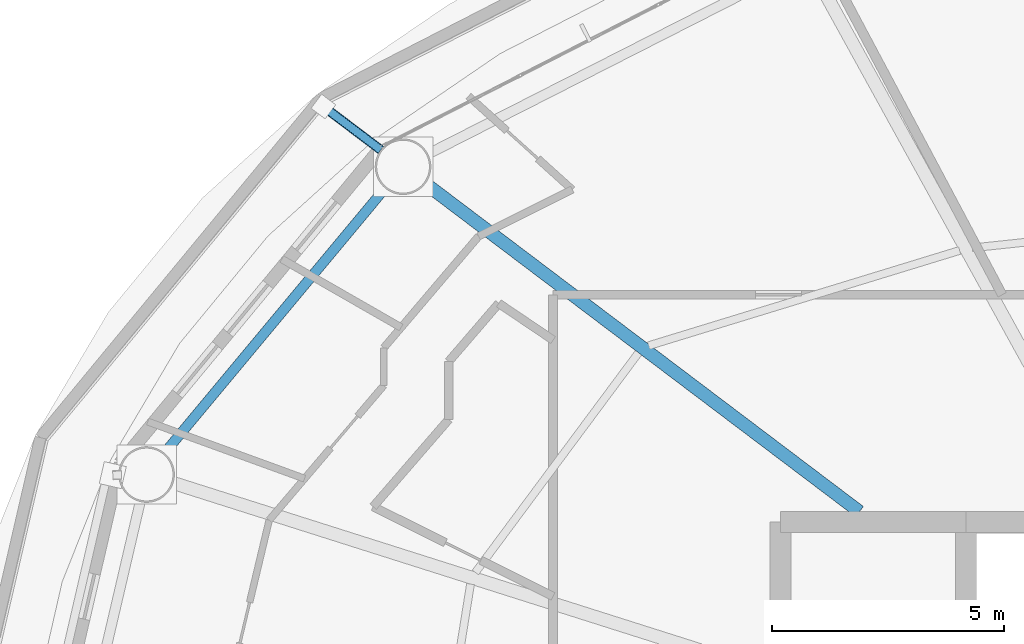
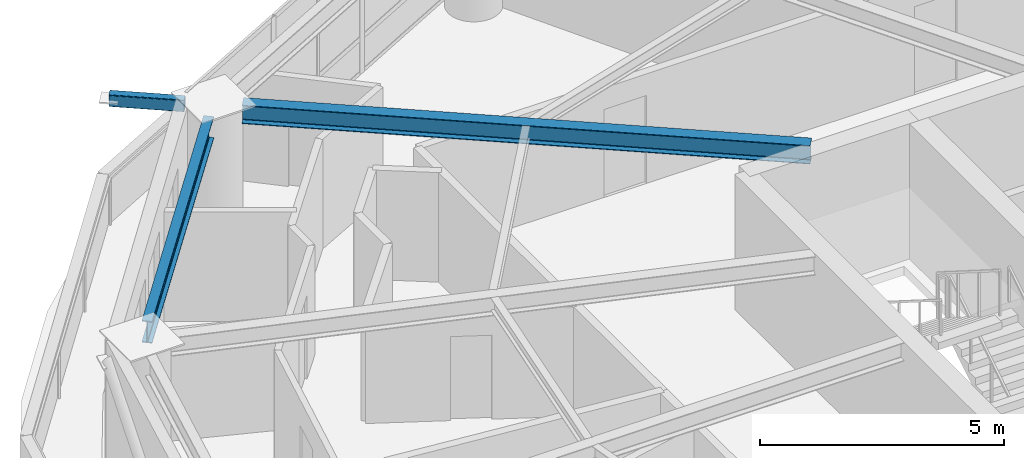
# One storey, part 10 of 27: 2 beams, 1 member.
"""IFC4 building model written with IfcOpenShell, lengths in metres."""

import ifcopenshell
import ifcopenshell.guid

model = None  # the IFC model being written
_history = None  # IfcOwnerHistory: only IFC2X3 demands one
_inside = {}  # id of a spatial element -> (the spatial element, [elements in it])
_under = {}  # id of a project, library or spatial element -> (it, [spatial elements below it])
_declared = {}  # id of a project -> (the project, [libraries it declares])
_typed = {}  # id of a type object -> (the type object, [elements of that type])
_made_of = {}  # id of a material, layer set ... -> (it, [elements and type objects made of it])


def new_model(schema):
    """Start an empty IFC model of exactly this schema.

    Asked for "IFC4X3", IfcOpenShell would pick the latest addendum, in which some entities
    have other attributes; the version numbers below select the first issue.
    IFC2X3 requires an IfcOwnerHistory on every rooted entity: one is made here for all.
    """
    global model, _history
    if schema == "IFC4X3":
        model = ifcopenshell.file(schema_version=(4, 3, 0, 0))
    else:
        model = ifcopenshell.file(schema=schema)
    _inside.clear()
    _under.clear()
    _declared.clear()
    _typed.clear()
    _made_of.clear()
    _history = None
    if model.schema == "IFC2X3":
        org = make("IfcOrganization", Name="unknown")
        user = make(
            "IfcPersonAndOrganization",
            ThePerson=make("IfcPerson", FamilyName="unknown"),
            TheOrganization=org,
        )
        app = make(
            "IfcApplication",
            ApplicationDeveloper=org,
            Version="unknown",
            ApplicationFullName="unknown",
            ApplicationIdentifier="unknown",
        )
        _history = make(
            "IfcOwnerHistory",
            OwningUser=user,
            OwningApplication=app,
            ChangeAction="ADDED",
            CreationDate=0,
        )
    return model


def make(cls, **values):
    """One entity of the class cls with the attributes given. An attribute that is None is left unset."""
    return model.create_entity(
        cls, **{name: value for name, value in values.items() if value is not None}
    )


def rooted(cls, **values):
    """An entity with a GlobalId (a new one), such as an element, a storey or a relation."""
    return make(cls, GlobalId=ifcopenshell.guid.new(), OwnerHistory=_history, **values)


def si_unit(unit_type, name, prefix=None):
    """IfcSIUnit, for example si_unit("LENGTHUNIT", "METRE", prefix="MILLI")."""
    return make("IfcSIUnit", UnitType=unit_type, Prefix=prefix, Name=name)


def assignment(units):
    """IfcUnitAssignment: the units of a project."""
    return None if units is None else make("IfcUnitAssignment", Units=units)


def point(xyz):
    """IfcCartesianPoint."""
    return None if xyz is None else make("IfcCartesianPoint", Coordinates=xyz)


def direction(xyz):
    """IfcDirection."""
    return None if xyz is None else make("IfcDirection", DirectionRatios=xyz)


def frame(location, z_axis=None, x_axis=None):
    """IfcAxis2Placement3D, a coordinate frame: its origin and axes. An axis left out is left unset."""
    return make(
        "IfcAxis2Placement3D",
        Location=point(location),
        Axis=direction(z_axis),
        RefDirection=direction(x_axis),
    )


def frame_2d(location, x_axis=None):
    """IfcAxis2Placement2D, a coordinate frame in the plane: its origin and x axis."""
    return make(
        "IfcAxis2Placement2D", Location=point(location), RefDirection=direction(x_axis)
    )


def origin():
    """The frame at (0, 0, 0) with its axes left unset."""
    return frame((0.0, 0.0, 0.0))


def origin_2d():
    """The frame at (0, 0) in the plane with its x axis left unset."""
    return frame_2d((0.0, 0.0))


def place(relative_to, where):
    """IfcLocalPlacement: puts the frame where relative to a parent placement (None: the world)."""
    return make(
        "IfcLocalPlacement", PlacementRelTo=relative_to, RelativePlacement=where
    )


def context(
    kind, dimensions, precision=None, world=None, true_north=None, identifier=None
):
    """IfcGeometricRepresentationContext, for example the 3D "Model" context."""
    return make(
        "IfcGeometricRepresentationContext",
        ContextIdentifier=identifier,
        ContextType=kind,
        CoordinateSpaceDimension=dimensions,
        Precision=precision,
        WorldCoordinateSystem=world,
        TrueNorth=true_north,
    )


def subcontext(parent, identifier, kind, view, scale=None):
    """IfcGeometricRepresentationSubContext, for example "Body" below "Model"."""
    return make(
        "IfcGeometricRepresentationSubContext",
        ContextIdentifier=identifier,
        ContextType=kind,
        ParentContext=parent,
        TargetScale=scale,
        TargetView=view,
    )


def project(units=None, contexts=None):
    """IfcProject with its units and contexts."""
    return rooted(
        "IfcProject",
        Name="project",
        RepresentationContexts=contexts,
        UnitsInContext=assignment(units),
    )


def spatial(cls, under=None, at=None, **own):
    """A site, building, storey or space (cls), placed at a placement, below another one or the project."""
    s = rooted(cls, ObjectPlacement=at, **own)
    if under is not None:
        _under.setdefault(under.id(), (under, []))[1].append(s)
    return s


def profile(cls, at=None, kind="AREA", **sizes):
    """A parametric profile (cls). Its sizes go by their IFC names, for example OverallWidth=200.0."""
    return make(cls, ProfileType=kind, Position=at, **sizes)


def hollow_rectangle(**sizes):
    """IfcRectangleHollowProfileDef."""
    return profile("IfcRectangleHollowProfileDef", **sizes)


def i_section(**sizes):
    """IfcIShapeProfileDef."""
    return profile("IfcIShapeProfileDef", **sizes)


def extrude(swept, where, along, depth):
    """IfcExtrudedAreaSolid: the profile swept, set in the frame where, extruded along a direction by depth."""
    return make(
        "IfcExtrudedAreaSolid",
        SweptArea=swept,
        Position=where,
        ExtrudedDirection=direction(along),
        Depth=depth,
    )


def shape(context_of_items, identifier, shape_type, items):
    """IfcShapeRepresentation: the items that make up one representation, for example the "Body"."""
    return make(
        "IfcShapeRepresentation",
        ContextOfItems=context_of_items,
        RepresentationIdentifier=identifier,
        RepresentationType=shape_type,
        Items=items,
    )


def material(Name=None, Category=None):
    """IfcMaterial."""
    return make("IfcMaterial", Name=Name, Category=Category)


def material_profile(
    of_material, cross_section, Name=None, Category=None, Priority=None
):
    """IfcMaterialProfile: a cross section and its material."""
    return make(
        "IfcMaterialProfile",
        Name=Name,
        Material=of_material,
        Profile=cross_section,
        Priority=Priority,
        Category=Category,
    )


def profile_set(profiles, Name=None, composite=None):
    """IfcMaterialProfileSet."""
    return make(
        "IfcMaterialProfileSet",
        Name=Name,
        MaterialProfiles=profiles,
        CompositeProfile=composite,
    )


def made_of(thing, what):
    """Note that an element or type object is made of a material, layer set ...; save() writes the relation."""
    if what is not None:
        _made_of.setdefault(what.id(), (what, []))[1].append(thing)
    return thing


def type_object(cls, material=None, **own):
    """A type object (cls), such as IfcWallType, which elements share."""
    return made_of(rooted(cls, **own), material)


def element(
    cls,
    number,
    at=None,
    inside=None,
    cuts=None,
    type_object=None,
    material=None,
    context=None,
    identifier="Body",
    shape_type=None,
    held_by="IfcProductDefinitionShape",
    body=None,
    shapes=None,
    **own,
):
    """One element of the class cls, such as IfcWall. Its Tag is "e" and its number.

    at: its placement. inside: the storey or other place that contains it. cuts: it is an
    opening in that element (IfcRelVoidsElement). A single representation is given by context,
    identifier, shape_type and body (its items); several are given by shapes. held_by: the class
    of the entity that holds the representations. save() writes the other relations.
    """
    e = rooted(cls, Tag="e%d" % number, ObjectPlacement=at, **own)
    if body is not None:
        shapes = [shape(context, identifier, shape_type, body)]
    if shapes is not None:
        e.Representation = make(held_by, Representations=shapes)
    if inside is not None:
        _inside.setdefault(inside.id(), (inside, []))[1].append(e)
    if cuts is not None:
        rooted(
            "IfcRelVoidsElement", RelatingBuildingElement=cuts, RelatedOpeningElement=e
        )
    if type_object is not None:
        _typed.setdefault(type_object.id(), (type_object, []))[1].append(e)
    return made_of(e, material)


def aggregate(whole, parts):
    """IfcRelAggregates: a whole, such as a stair, and the parts it consists of."""
    return rooted("IfcRelAggregates", RelatingObject=whole, RelatedObjects=parts)


def save(model, path):
    """Write the relations noted so far, then the file.

    IfcRelAggregates (storeys below a building ...), IfcRelContainedInSpatialStructure (elements
    in a storey), IfcRelDefinesByType, IfcRelAssociatesMaterial and IfcRelDeclares: one each for
    every whole, place, type object, material and project.
    """
    for whole, parts in _under.values():
        aggregate(whole, parts)
    for where, things in _inside.values():
        rooted(
            "IfcRelContainedInSpatialStructure",
            RelatedElements=things,
            RelatingStructure=where,
        )
    for kind, things in _typed.values():
        rooted("IfcRelDefinesByType", RelatedObjects=things, RelatingType=kind)
    for what, things in _made_of.values():
        rooted("IfcRelAssociatesMaterial", RelatedObjects=things, RelatingMaterial=what)
    for by, libraries in _declared.values():
        rooted("IfcRelDeclares", RelatingContext=by, RelatedDefinitions=libraries)
    model.write(path)


model = new_model("IFC4")

# Units and contexts
model_context = context("Model", 3, precision=1e-05, world=origin(), true_north=direction((0.0, 1.0)))
body_context = subcontext(model_context, "Body", "Model", "MODEL_VIEW")
ifc_project = project(units=[si_unit("LENGTHUNIT", "METRE"), si_unit("AREAUNIT", "SQUARE_METRE"), si_unit("VOLUMEUNIT", "CUBIC_METRE"), si_unit("PLANEANGLEUNIT", "RADIAN"), si_unit("MASSUNIT", "GRAM", prefix="KILO")], contexts=[model_context])

# Site, building, storey
site_placement = place(None, origin())
site = spatial("IfcSite", under=ifc_project, at=site_placement, CompositionType="ELEMENT")
building_placement = place(site_placement, origin())
building = spatial("IfcBuilding", under=site, at=building_placement, Name="Sarneth Arch Tower", CompositionType="ELEMENT")
storey_placement = place(building_placement, frame((0.0, 0.0, 150.60009765625)))
storey = spatial("IfcBuildingStorey", under=building, at=storey_placement, Name="L37", CompositionType="ELEMENT", Elevation=150.60009765625)

# Beams
ifc_material_1 = material(Name="Steel S355", Category="steel")
ifc_material_profile_1 = material_profile(ifc_material_1, i_section(OverallWidth=0.280029296875, OverallDepth=0.462890625, WebThickness=0.0107421875, FlangeThickness=0.017333984375, FilletRadius=0.01806640625, at=origin_2d()), Name="W460x113")
ifc_profile_set_1 = profile_set([ifc_material_profile_1], Name="Steel S355")
beam_type_1 = type_object("IfcBeamType", Name="BM-RAD-460A", PredefinedType="BEAM", material=ifc_profile_set_1)
beam_1_placement = place(storey_placement, frame((38.70458984375, 49.02490234375, 3.1484375), z_axis=(-0.797784574467, 0.602942594898, 0.0), x_axis=(-0.602942594898, -0.797784574467, 0.0)))
element("IfcBeam", 1, at=beam_1_placement, inside=storey, type_object=beam_type_1, Name="L37 Radial floor girder 07", PredefinedType="BEAM", context=body_context, shape_type="SweptSolid", body=[
    extrude(i_section(OverallWidth=0.280029296875, OverallDepth=0.462890625, WebThickness=0.0107421875, FlangeThickness=0.017333984375, FilletRadius=0.01806640625, at=origin_2d()), origin(), (0.0, 0.0, 1.0), 11.73193359375),
])
ifc_material_2 = material(Name="Steel S355", Category="steel")
ifc_material_profile_2 = material_profile(ifc_material_2, i_section(OverallWidth=0.214111328125, OverallDepth=0.549072265625, WebThickness=0.0146484375, FlangeThickness=0.023681640625, FilletRadius=0.01806640625, at=origin_2d()), Name="W530x138")
ifc_profile_set_2 = profile_set([ifc_material_profile_2], Name="Steel S355")
beam_type_2 = type_object("IfcBeamType", Name="BM-RAD-530A", PredefinedType="BEAM", material=ifc_profile_set_2)
beam_2_placement = place(storey_placement, frame((28.482177734375, 55.99951171875, 3.10546875), z_axis=(-0.640161793626, -0.768240117399, 0.0), x_axis=(0.768240117399, -0.640161793626, 0.0)))
element("IfcBeam", 2, at=beam_2_placement, inside=storey, type_object=beam_type_2, Name="L37 Perimeter spandrel beam 07", PredefinedType="BEAM", context=body_context, shape_type="SweptSolid", body=[
    extrude(i_section(OverallWidth=0.214111328125, OverallDepth=0.549072265625, WebThickness=0.0146484375, FlangeThickness=0.023681640625, FilletRadius=0.01806640625, at=origin_2d()), origin(), (0.0, 0.0, 1.0), 7.43603515625),
])

# Member
ifc_material_3 = material(Name="Steel S355", Category="steel")
ifc_material_profile_3 = material_profile(ifc_material_3, hollow_rectangle(XDim=0.199951171875, YDim=0.300048828125, WallThickness=0.012451171875, InnerFilletRadius=0.018798828125, OuterFilletRadius=0.03125, at=origin_2d()), Name="RHS300x200x12.5")
ifc_profile_set_3 = profile_set([ifc_material_profile_3], Name="Steel S355")
member_type = type_object("IfcMemberType", Name="MEM-CANT-STRUT", PredefinedType="STRUT", material=ifc_profile_set_3)
member_placement = place(storey_placement, frame((28.387451171875, 56.822021484375, 3.219970703125), z_axis=(-0.797786634456, 0.60293986921, 0.0), x_axis=(-0.60293986921, -0.797786634456, 0.0)))
element("IfcMember", 3, at=member_placement, inside=storey, type_object=member_type, Name="L37 Balcony cantilever bracket 07", PredefinedType="STRUT", context=body_context, shape_type="SweptSolid", body=[
    extrude(hollow_rectangle(XDim=0.199951171875, YDim=0.300048828125, WallThickness=0.012451171875, InnerFilletRadius=0.018798828125, OuterFilletRadius=0.03125, at=origin_2d()), origin(), (0.0, 0.0, 1.0), 1.552490234375),
])

save(model, "model.ifc")
